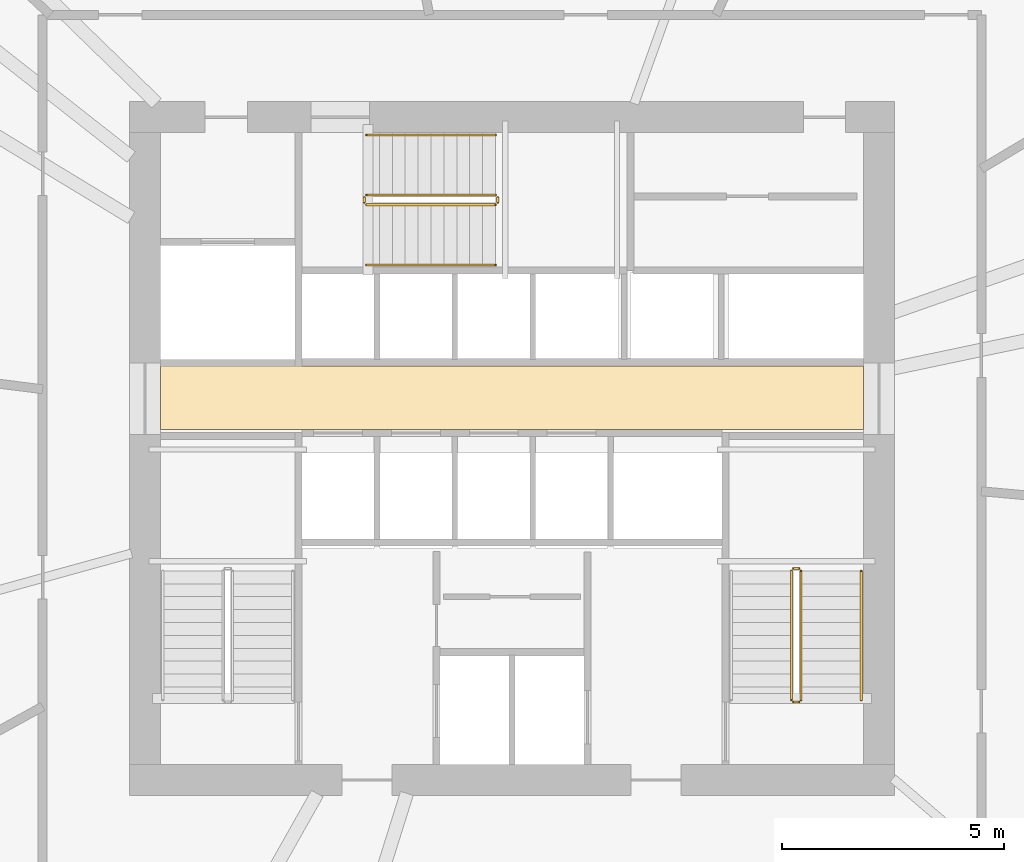
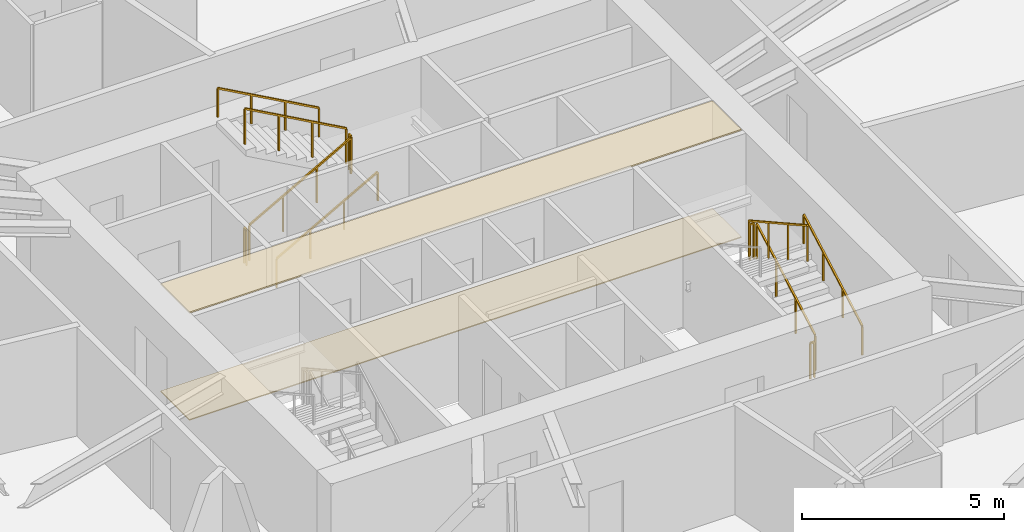
# One storey, part 21 of 22: 11 railings, 2 coverings.
"""IFC4 building model written with IfcOpenShell, lengths in metres."""

from ifc_helpers import new_model, si_unit, direction, frame, origin, origin_2d, place, context, subcontext, project, spatial, polyline, rectangle, outline, extrude, material, layer, layer_set, type_object, element, save


model = new_model("IFC4")

# Units and contexts
model_context = context("Model", 3, precision=1e-05, world=origin(), true_north=direction((0.0, 1.0)))
body_context = subcontext(model_context, "Body", "Model", "MODEL_VIEW")
ifc_project = project(units=[si_unit("LENGTHUNIT", "METRE"), si_unit("AREAUNIT", "SQUARE_METRE"), si_unit("VOLUMEUNIT", "CUBIC_METRE"), si_unit("PLANEANGLEUNIT", "RADIAN"), si_unit("MASSUNIT", "GRAM", prefix="KILO")], contexts=[model_context])

# Site, building, storey
site_placement = place(None, origin())
site = spatial("IfcSite", under=ifc_project, at=site_placement, CompositionType="ELEMENT")
building_placement = place(site_placement, origin())
building = spatial("IfcBuilding", under=site, at=building_placement, Name="Olszyna Solenne Hotel", CompositionType="ELEMENT")
storey_placement = place(building_placement, frame((0.0, 0.0, 95.050048828125)))
storey = spatial("IfcBuildingStorey", under=building, at=storey_placement, Name="L24", CompositionType="ELEMENT", Elevation=95.050048828125)

# Coverings
ifc_material_1 = material(Name="Mineral wool acoustic ceiling")
ifc_layer_1 = layer(ifc_material_1, 0.0400390625, Name="Mineral wool acoustic ceiling")
ifc_layer_set_1 = layer_set([ifc_layer_1], Name="Mineral wool acoustic ceiling")
covering_type_1 = type_object("IfcCoveringType", Name="CL-AC1", PredefinedType="CEILING", material=ifc_layer_set_1)
covering_1_placement = place(storey_placement, frame((0.0, 0.0, 3.239990234375)))
element("IfcCovering", 1, at=covering_1_placement, inside=storey, type_object=covering_type_1, Name="Lift lobby acoustic tile ceiling CL-L24-01", PredefinedType="CEILING", context=body_context, shape_type="SweptSolid", body=[
    extrude(outline(polyline([(30.10009765625, 27.030029296875), (45.89990234375, 27.030029296875), (45.89990234375, 28.4599609375), (30.10009765625, 28.4599609375), (30.10009765625, 27.030029296875)])), origin(), (0.0, 0.0, 1.0), 0.0400390625),
])
ifc_material_2 = material(Name="Ceramic floor tile")
ifc_layer_2 = layer(ifc_material_2, 0.030029296875, Name="Ceramic floor tile")
ifc_layer_set_2 = layer_set([ifc_layer_2], Name="Ceramic floor tile")
covering_type_2 = type_object("IfcCoveringType", Name="FL-TL1", PredefinedType="FLOORING", material=ifc_layer_set_2)
covering_2_placement = place(storey_placement, origin())
element("IfcCovering", 2, at=covering_2_placement, inside=storey, type_object=covering_type_2, Name="Lift lobby stoneware floor finish FLR-L24-01", PredefinedType="FLOORING", context=body_context, shape_type="SweptSolid", body=[
    extrude(outline(polyline([(30.10009765625, 27.030029296875), (45.89990234375, 27.030029296875), (45.89990234375, 28.4599609375), (30.10009765625, 28.4599609375), (30.10009765625, 27.030029296875)])), origin(), (0.0, 0.0, 1.0), 0.030029296875),
])

# Railings
ifc_material_3 = material(Name="Anodised bronze aluminium", Category="aluminium")
railing_type_1 = type_object("IfcRailingType", Name="GR-110", PredefinedType="BALUSTRADE", material=ifc_material_3)
railing_1_placement = place(storey_placement, frame((44.5, 20.949951171875, 0.161376953125)))
element("IfcRailing", 3, at=railing_1_placement, inside=storey, type_object=railing_type_1, Name="L24 ST2 stair guard 1", PredefinedType="BALUSTRADE", context=body_context, shape_type="SweptSolid", body=[
    extrude(rectangle(XDim=0.048095703125, YDim=0.048095703125, at=origin_2d()), frame((0.0, 0.0, 1.076171875), z_axis=(0.0, 0.873858693841, 0.486179990537), x_axis=(-1.0, 0.0, 0.0)), (0.0, 0.0, 1.0), 3.31884765625),
    extrude(rectangle(XDim=0.0419921875, YDim=0.0419921875, at=origin_2d()), origin(), (0.0, 0.0, 1.0), 1.052001953125),
    extrude(rectangle(XDim=0.0419921875, YDim=0.0419921875, at=origin_2d()), frame((0.0, 0.966796875, 0.537841796875)), (0.0, 0.0, 1.0), 1.052001953125),
    extrude(rectangle(XDim=0.0419921875, YDim=0.0419921875, at=origin_2d()), frame((0.0, 1.933349609375, 1.07568359375)), (0.0, 0.0, 1.0), 1.052001953125),
    extrude(rectangle(XDim=0.0419921875, YDim=0.0419921875, at=origin_2d()), frame((0.0, 2.900146484375, 1.613525390625)), (0.0, 0.0, 1.0), 1.052001953125),
])
railing_2_placement = place(storey_placement, frame((44.449951171875, 23.89990234375, 1.77490234375)))
element("IfcRailing", 4, at=railing_2_placement, inside=storey, type_object=railing_type_1, Name="L24 ST2 stair guard 2", PredefinedType="BALUSTRADE", context=body_context, shape_type="SweptSolid", body=[
    extrude(rectangle(XDim=0.048095703125, YDim=0.048095703125, at=origin_2d()), frame((0.0, 0.0, 1.076171875), z_axis=(-1.0, 0.0, 0.0), x_axis=(0.0, -1.0, 0.0)), (0.0, 0.0, 1.0), 0.119873046875),
    extrude(rectangle(XDim=0.0419921875, YDim=0.0419921875, at=origin_2d()), origin(), (0.0, 0.0, 1.0), 1.052001953125),
    extrude(rectangle(XDim=0.0419921875, YDim=0.0419921875, at=origin_2d()), frame((-0.119873046875, 0.0, 0.0)), (0.0, 0.0, 1.0), 1.052001953125),
])
railing_3_placement = place(storey_placement, frame((44.280029296875, 23.85009765625, 1.936279296875)))
element("IfcRailing", 5, at=railing_3_placement, inside=storey, type_object=railing_type_1, Name="L24 ST2 stair guard 3", PredefinedType="BALUSTRADE", context=body_context, shape_type="SweptSolid", body=[
    extrude(rectangle(XDim=0.048095703125, YDim=0.048095703125, at=origin_2d()), frame((0.0, 0.0, 1.076171875), z_axis=(0.0, -0.873827439584, 0.48623616261), x_axis=(1.0, 0.0, 0.0)), (0.0, 0.0, 1.0), 3.31884765625),
    extrude(rectangle(XDim=0.0419921875, YDim=0.0419921875, at=origin_2d()), origin(), (0.0, 0.0, 1.0), 1.052001953125),
    extrude(rectangle(XDim=0.0419921875, YDim=0.0419921875, at=origin_2d()), frame((0.0, -0.966796875, 0.537841796875)), (0.0, 0.0, 1.0), 1.052001953125),
    extrude(rectangle(XDim=0.0419921875, YDim=0.0419921875, at=origin_2d()), frame((0.0, -1.933349609375, 1.075927734375)), (0.0, 0.0, 1.0), 1.052001953125),
    extrude(rectangle(XDim=0.0419921875, YDim=0.0419921875, at=origin_2d()), frame((0.0, -2.900146484375, 1.61376953125)), (0.0, 0.0, 1.0), 1.052001953125),
])
railing_4_placement = place(storey_placement, frame((44.449951171875, 20.89990234375, 0.0)))
element("IfcRailing", 6, at=railing_4_placement, inside=storey, type_object=railing_type_1, Name="L24 ST2 stair guard 4", PredefinedType="BALUSTRADE", context=body_context, shape_type="SweptSolid", body=[
    extrude(rectangle(XDim=0.048095703125, YDim=0.048095703125, at=origin_2d()), frame((0.0, 0.0, 1.076171875), z_axis=(-1.0, 0.0, 0.0), x_axis=(0.0, -1.0, 0.0)), (0.0, 0.0, 1.0), 0.119873046875),
    extrude(rectangle(XDim=0.0419921875, YDim=0.0419921875, at=origin_2d()), origin(), (0.0, 0.0, 1.0), 1.052001953125),
    extrude(rectangle(XDim=0.0419921875, YDim=0.0419921875, at=origin_2d()), frame((-0.119873046875, 0.0, 0.0)), (0.0, 0.0, 1.0), 1.052001953125),
])
railing_5_placement = place(storey_placement, frame((34.72998046875, 32.080078125, 0.161376953125)))
element("IfcRailing", 7, at=railing_5_placement, inside=storey, type_object=railing_type_1, Name="L24 ST3 stair guard 1", PredefinedType="BALUSTRADE", context=body_context, shape_type="SweptSolid", body=[
    extrude(rectangle(XDim=0.048095703125, YDim=0.048095703125, at=origin_2d()), frame((0.0, 0.0, 1.076171875), z_axis=(0.873841303929, 0.0, 0.486211245805), x_axis=(0.0, 1.0, 0.0)), (0.0, 0.0, 1.0), 3.318603515625),
    extrude(rectangle(XDim=0.0419921875, YDim=0.0419921875, at=origin_2d()), origin(), (0.0, 0.0, 1.0), 1.052001953125),
    extrude(rectangle(XDim=0.0419921875, YDim=0.0419921875, at=origin_2d()), frame((0.966552734375, 0.0, 0.537841796875)), (0.0, 0.0, 1.0), 1.052001953125),
    extrude(rectangle(XDim=0.0419921875, YDim=0.0419921875, at=origin_2d()), frame((1.933349609375, 0.0, 1.07568359375)), (0.0, 0.0, 1.0), 1.052001953125),
    extrude(rectangle(XDim=0.0419921875, YDim=0.0419921875, at=origin_2d()), frame((2.89990234375, 0.0, 1.613525390625)), (0.0, 0.0, 1.0), 1.052001953125),
])
railing_6_placement = place(storey_placement, frame((37.679931640625, 32.1298828125, 1.77490234375)))
element("IfcRailing", 8, at=railing_6_placement, inside=storey, type_object=railing_type_1, Name="L24 ST3 stair guard 2", PredefinedType="BALUSTRADE", context=body_context, shape_type="SweptSolid", body=[
    extrude(rectangle(XDim=0.048095703125, YDim=0.048095703125, at=origin_2d()), frame((0.0, 0.0, 1.076171875), z_axis=(0.0, 1.0, 0.0), x_axis=(-1.0, 0.0, 0.0)), (0.0, 0.0, 1.0), 0.1201171875),
    extrude(rectangle(XDim=0.0419921875, YDim=0.0419921875, at=origin_2d()), origin(), (0.0, 0.0, 1.0), 1.052001953125),
    extrude(rectangle(XDim=0.0419921875, YDim=0.0419921875, at=origin_2d()), frame((0.0, 0.1201171875, 0.0)), (0.0, 0.0, 1.0), 1.052001953125),
])
railing_7_placement = place(storey_placement, frame((37.6298828125, 32.300048828125, 1.936279296875)))
element("IfcRailing", 9, at=railing_7_placement, inside=storey, type_object=railing_type_1, Name="L24 ST3 stair guard 3", PredefinedType="BALUSTRADE", context=body_context, shape_type="SweptSolid", body=[
    extrude(rectangle(XDim=0.048095703125, YDim=0.048095703125, at=origin_2d()), frame((0.0, 0.0, 1.076171875), z_axis=(-0.873810046276, 0.0, 0.486267419253), x_axis=(0.0, -1.0, 0.0)), (0.0, 0.0, 1.0), 3.318603515625),
    extrude(rectangle(XDim=0.0419921875, YDim=0.0419921875, at=origin_2d()), origin(), (0.0, 0.0, 1.0), 1.052001953125),
    extrude(rectangle(XDim=0.0419921875, YDim=0.0419921875, at=origin_2d()), frame((-0.966552734375, 0.0, 0.537841796875)), (0.0, 0.0, 1.0), 1.052001953125),
    extrude(rectangle(XDim=0.0419921875, YDim=0.0419921875, at=origin_2d()), frame((-1.933349609375, 0.0, 1.075927734375)), (0.0, 0.0, 1.0), 1.052001953125),
    extrude(rectangle(XDim=0.0419921875, YDim=0.0419921875, at=origin_2d()), frame((-2.89990234375, 0.0, 1.61376953125)), (0.0, 0.0, 1.0), 1.052001953125),
])
railing_8_placement = place(storey_placement, frame((34.679931640625, 32.1298828125, 0.0)))
element("IfcRailing", 10, at=railing_8_placement, inside=storey, type_object=railing_type_1, Name="L24 ST3 stair guard 4", PredefinedType="BALUSTRADE", context=body_context, shape_type="SweptSolid", body=[
    extrude(rectangle(XDim=0.048095703125, YDim=0.048095703125, at=origin_2d()), frame((0.0, 0.0, 1.076171875), z_axis=(0.0, 1.0, 0.0), x_axis=(-1.0, 0.0, 0.0)), (0.0, 0.0, 1.0), 0.1201171875),
    extrude(rectangle(XDim=0.0419921875, YDim=0.0419921875, at=origin_2d()), origin(), (0.0, 0.0, 1.0), 1.052001953125),
    extrude(rectangle(XDim=0.0419921875, YDim=0.0419921875, at=origin_2d()), frame((0.0, 0.1201171875, 0.0)), (0.0, 0.0, 1.0), 1.052001953125),
])
ifc_material_4 = material(Name="Steel S355J2", Category="steel")
railing_type_2 = type_object("IfcRailingType", Name="HR-090", PredefinedType="HANDRAIL", material=ifc_material_4)
railing_9_placement = place(storey_placement, frame((45.85009765625, 20.949951171875, 0.161376953125)))
element("IfcRailing", 11, at=railing_9_placement, inside=storey, type_object=railing_type_2, Name="L24 ST2 stair handrail 1", PredefinedType="HANDRAIL", context=body_context, shape_type="SweptSolid", body=[
    extrude(rectangle(XDim=0.048095703125, YDim=0.048095703125, at=origin_2d()), frame((0.0, 0.0, 0.8759765625), z_axis=(0.0, 0.873858693841, 0.486179990537), x_axis=(-1.0, 0.0, 0.0)), (0.0, 0.0, 1.0), 3.31884765625),
    extrude(rectangle(XDim=0.0419921875, YDim=0.0419921875, at=origin_2d()), origin(), (0.0, 0.0, 1.0), 0.851806640625),
    extrude(rectangle(XDim=0.0419921875, YDim=0.0419921875, at=origin_2d()), frame((0.0, 0.966796875, 0.537841796875)), (0.0, 0.0, 1.0), 0.851806640625),
    extrude(rectangle(XDim=0.0419921875, YDim=0.0419921875, at=origin_2d()), frame((0.0, 1.933349609375, 1.07568359375)), (0.0, 0.0, 1.0), 0.851806640625),
    extrude(rectangle(XDim=0.0419921875, YDim=0.0419921875, at=origin_2d()), frame((0.0, 2.900146484375, 1.613525390625)), (0.0, 0.0, 1.0), 0.851806640625),
])
railing_10_placement = place(storey_placement, frame((34.72998046875, 30.72998046875, 0.161376953125)))
element("IfcRailing", 12, at=railing_10_placement, inside=storey, type_object=railing_type_2, Name="L24 ST3 stair handrail 1", PredefinedType="HANDRAIL", context=body_context, shape_type="SweptSolid", body=[
    extrude(rectangle(XDim=0.048095703125, YDim=0.048095703125, at=origin_2d()), frame((0.0, 0.0, 0.8759765625), z_axis=(0.873841303929, 0.0, 0.486211245805), x_axis=(0.0, 1.0, 0.0)), (0.0, 0.0, 1.0), 3.318603515625),
    extrude(rectangle(XDim=0.0419921875, YDim=0.0419921875, at=origin_2d()), origin(), (0.0, 0.0, 1.0), 0.851806640625),
    extrude(rectangle(XDim=0.0419921875, YDim=0.0419921875, at=origin_2d()), frame((0.966552734375, 0.0, 0.537841796875)), (0.0, 0.0, 1.0), 0.851806640625),
    extrude(rectangle(XDim=0.0419921875, YDim=0.0419921875, at=origin_2d()), frame((1.933349609375, 0.0, 1.07568359375)), (0.0, 0.0, 1.0), 0.851806640625),
    extrude(rectangle(XDim=0.0419921875, YDim=0.0419921875, at=origin_2d()), frame((2.89990234375, 0.0, 1.613525390625)), (0.0, 0.0, 1.0), 0.851806640625),
])
railing_11_placement = place(storey_placement, frame((37.6298828125, 33.64990234375, 1.936279296875)))
element("IfcRailing", 13, at=railing_11_placement, inside=storey, type_object=railing_type_2, Name="L24 ST3 stair handrail 2", PredefinedType="HANDRAIL", context=body_context, shape_type="SweptSolid", body=[
    extrude(rectangle(XDim=0.048095703125, YDim=0.048095703125, at=origin_2d()), frame((0.0, 0.0, 0.8759765625), z_axis=(-0.873810046276, 0.0, 0.486267419253), x_axis=(0.0, -1.0, 0.0)), (0.0, 0.0, 1.0), 3.318603515625),
    extrude(rectangle(XDim=0.0419921875, YDim=0.0419921875, at=origin_2d()), origin(), (0.0, 0.0, 1.0), 0.851806640625),
    extrude(rectangle(XDim=0.0419921875, YDim=0.0419921875, at=origin_2d()), frame((-0.966552734375, 0.0, 0.537841796875)), (0.0, 0.0, 1.0), 0.851806640625),
    extrude(rectangle(XDim=0.0419921875, YDim=0.0419921875, at=origin_2d()), frame((-1.933349609375, 0.0, 1.075927734375)), (0.0, 0.0, 1.0), 0.851806640625),
    extrude(rectangle(XDim=0.0419921875, YDim=0.0419921875, at=origin_2d()), frame((-2.89990234375, 0.0, 1.61376953125)), (0.0, 0.0, 1.0), 0.851806640625),
])

save(model, "model.ifc")
